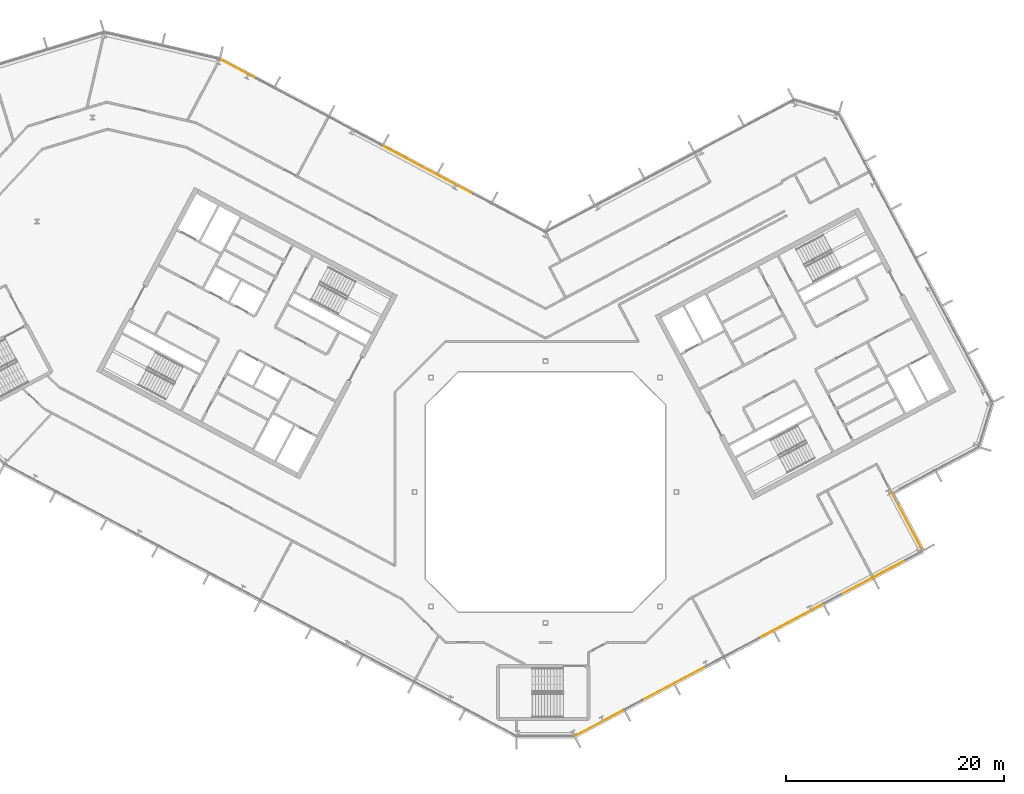
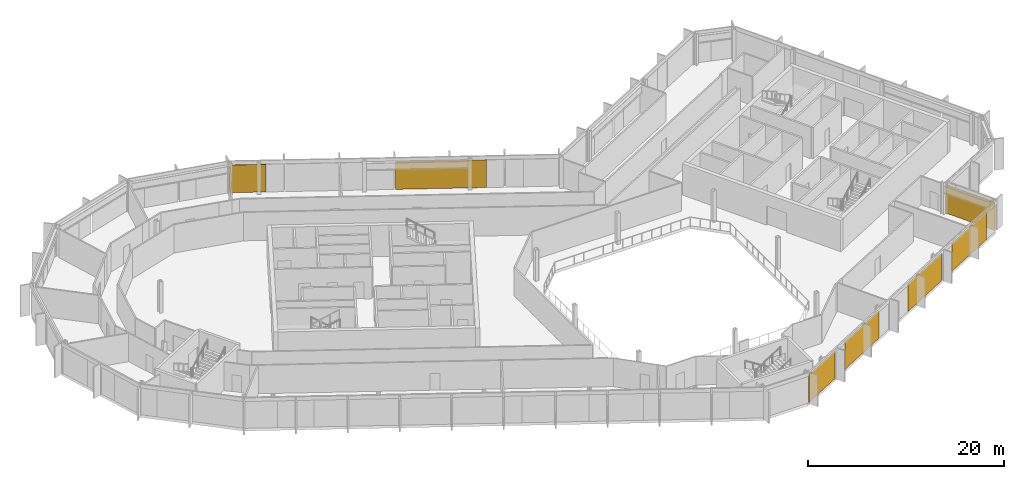
# One storey, part 24 of 26: 7 coverings, 3 elements without a shape of their own.
"""IFC4 building model written with IfcOpenShell, lengths in metres."""

from ifc_helpers import new_model, si_unit, direction, frame, origin, origin_2d, place, context, subcontext, project, spatial, rectangle, extrude, material, layer, layer_set, type_object, element, aggregate, save


model = new_model("IFC4")

# Units and contexts
model_context = context("Model", 3, precision=1e-05, world=origin(), true_north=direction((0.0, 1.0)))
body_context = subcontext(model_context, "Body", "Model", "MODEL_VIEW")
ifc_project = project(units=[si_unit("LENGTHUNIT", "METRE"), si_unit("AREAUNIT", "SQUARE_METRE"), si_unit("VOLUMEUNIT", "CUBIC_METRE"), si_unit("PLANEANGLEUNIT", "RADIAN"), si_unit("MASSUNIT", "GRAM", prefix="KILO")], contexts=[model_context])

# Site, building, storey
site_placement = place(None, origin())
site = spatial("IfcSite", under=ifc_project, at=site_placement, CompositionType="ELEMENT")
building_placement = place(site_placement, origin())
building = spatial("IfcBuilding", under=site, at=building_placement, Name="Cormorant Relay Tower", CompositionType="ELEMENT")
storey_placement = place(building_placement, frame((0.0, 0.0, 285.300048828125)))
storey = spatial("IfcBuildingStorey", under=building, at=storey_placement, Name="L64", CompositionType="ELEMENT", Elevation=285.300048828125)

# Curtain wall, coverings
ifc_material_1 = material(Name="Aluminium 6063-T6 anodised bronze", Category="aluminium")
ifc_layer_1 = layer(ifc_material_1, 0.199951171875)
ifc_layer_set_1 = layer_set([ifc_layer_1], Name="CW1 unitised bronze curtain wall with vertical fins")
curtain_wall_type = type_object("IfcCurtainWallType", Name="CW1 unitised bronze curtain wall with vertical fins", PredefinedType="NOTDEFINED", material=ifc_layer_set_1)
curtain_wall_1_placement = place(storey_placement, origin())
curtain_wall_1 = element("IfcCurtainWall", 1, at=curtain_wall_1_placement, inside=storey, type_object=curtain_wall_type, Name="CW1 curtain wall 2", PredefinedType="NOTDEFINED")
ifc_material_2 = material(Name="Pale bronze anodised aluminium insulated panel", Category="aluminium")
ifc_layer_2 = layer(ifc_material_2, 0.0400390625)
ifc_layer_set_2 = layer_set([ifc_layer_2], Name="CW1 pale bronze insulated panel 40")
covering_type = type_object("IfcCoveringType", Name="CW1 pale bronze insulated panel 40", PredefinedType="CLADDING", material=ifc_layer_set_2)
covering_1_placement = place(storey_placement, frame((4.939208984375, -21.180419921875, 0.0), z_axis=(0.0, 0.0, 1.0), x_axis=(0.882947592859, 0.469471562786, 0.0)))
covering_1 = element("IfcCovering", 2, at=covering_1_placement, type_object=covering_type, Name="CW1 panel S00", PredefinedType="CLADDING", context=body_context, shape_type="SweptSolid", body=[
    extrude(rectangle(XDim=5.0166015625, YDim=0.0400390625, at=origin_2d()), origin(), (0.0, 0.0, 1.0), 3.449951171875),
])
covering_2_placement = place(storey_placement, frame((11.78173828125, -17.5419921875, 0.0), z_axis=(0.0, 0.0, 1.0), x_axis=(0.882947592859, 0.469471562786, 0.0)))
covering_2 = element("IfcCovering", 3, at=covering_2_placement, type_object=covering_type, Name="CW1 panel S02", PredefinedType="CLADDING", context=body_context, shape_type="SweptSolid", body=[
    extrude(rectangle(XDim=6.5830078125, YDim=0.0400390625, at=origin_2d()), origin(), (0.0, 0.0, 1.0), 3.449951171875),
])
covering_3_placement = place(storey_placement, frame((22.49462890625, -11.845947265625, 0.0), z_axis=(0.0, 0.0, 1.0), x_axis=(0.882947592859, 0.469471562786, 0.0)))
covering_3 = element("IfcCovering", 4, at=covering_3_placement, type_object=covering_type, Name="CW1 panel S05", PredefinedType="CLADDING", context=body_context, shape_type="SweptSolid", body=[
    extrude(rectangle(XDim=6.5830078125, YDim=0.0400390625, at=origin_2d()), origin(), (0.0, 0.0, 1.0), 3.449951171875),
])
covering_4_placement = place(storey_placement, frame((30.06201171875, -7.822265625, 0.0), z_axis=(0.0, 0.0, 1.0), x_axis=(0.882947592859, 0.469471562786, 0.0)))
covering_4 = element("IfcCovering", 5, at=covering_4_placement, type_object=covering_type, Name="CW1 panel S07", PredefinedType="CLADDING", context=body_context, shape_type="SweptSolid", body=[
    extrude(rectangle(XDim=6.658203125, YDim=0.0400390625, at=origin_2d()), origin(), (0.0, 0.0, 1.0), 3.449951171875),
])
aggregate(curtain_wall_1, [covering_1, covering_2, covering_3, covering_4])

# Curtain wall, covering
curtain_wall_2_placement = place(storey_placement, origin())
curtain_wall_2 = element("IfcCurtainWall", 6, at=curtain_wall_2_placement, inside=storey, type_object=curtain_wall_type, Name="CW1 curtain wall 3", PredefinedType="NOTDEFINED")
covering_5_placement = place(storey_placement, frame((33.173095703125, -2.705322265625, 0.0), z_axis=(0.0, 0.0, 1.0), x_axis=(-0.469471562786, 0.882947592859, 0.0)))
covering_5 = element("IfcCovering", 7, at=covering_5_placement, type_object=covering_type, Name="CW1 panel S00", PredefinedType="CLADDING", context=body_context, shape_type="SweptSolid", body=[
    extrude(rectangle(XDim=5.925048828125, YDim=0.0400390625, at=origin_2d()), origin(), (0.0, 0.0, 1.0), 3.449951171875),
])
aggregate(curtain_wall_2, [covering_5])

# Curtain wall, coverings
curtain_wall_3_placement = place(storey_placement, origin())
curtain_wall_3 = element("IfcCurtainWall", 8, at=curtain_wall_3_placement, inside=storey, type_object=curtain_wall_type, Name="CW1 curtain wall 9", PredefinedType="NOTDEFINED")
covering_6_placement = place(storey_placement, frame((-10.7431640625, 29.518798828125, 0.0), z_axis=(0.0, 0.0, 1.0), x_axis=(-0.882947592859, 0.469471562786, 0.0)))
covering_6 = element("IfcCovering", 9, at=covering_6_placement, type_object=covering_type, Name="CW1 panel S03", PredefinedType="CLADDING", context=body_context, shape_type="SweptSolid", body=[
    extrude(rectangle(XDim=9.327880859375, YDim=0.0400390625, at=origin_2d()), origin(), (0.0, 0.0, 1.0), 3.449951171875),
])
covering_7_placement = place(storey_placement, frame((-28.20263671875, 38.80224609375, 0.0), z_axis=(0.0, 0.0, 1.0), x_axis=(-0.882947592859, 0.469471562786, 0.0)))
covering_7 = element("IfcCovering", 10, at=covering_7_placement, type_object=covering_type, Name="CW1 panel S07", PredefinedType="CLADDING", context=body_context, shape_type="SweptSolid", body=[
    extrude(rectangle(XDim=3.763916015625, YDim=0.0400390625, at=origin_2d()), origin(), (0.0, 0.0, 1.0), 3.449951171875),
])
aggregate(curtain_wall_3, [covering_6, covering_7])

save(model, "model.ifc")
